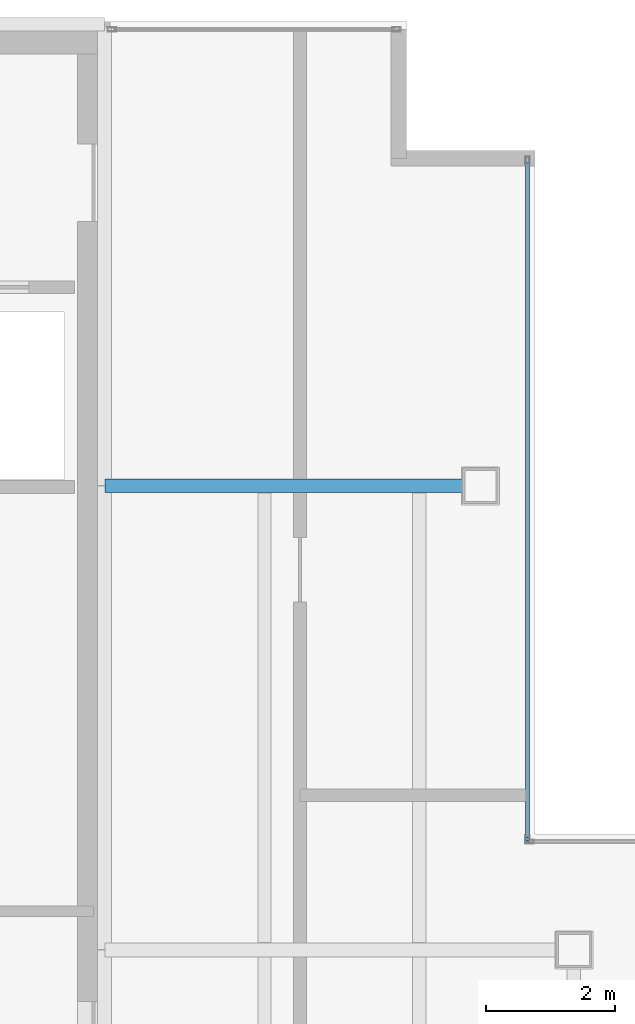
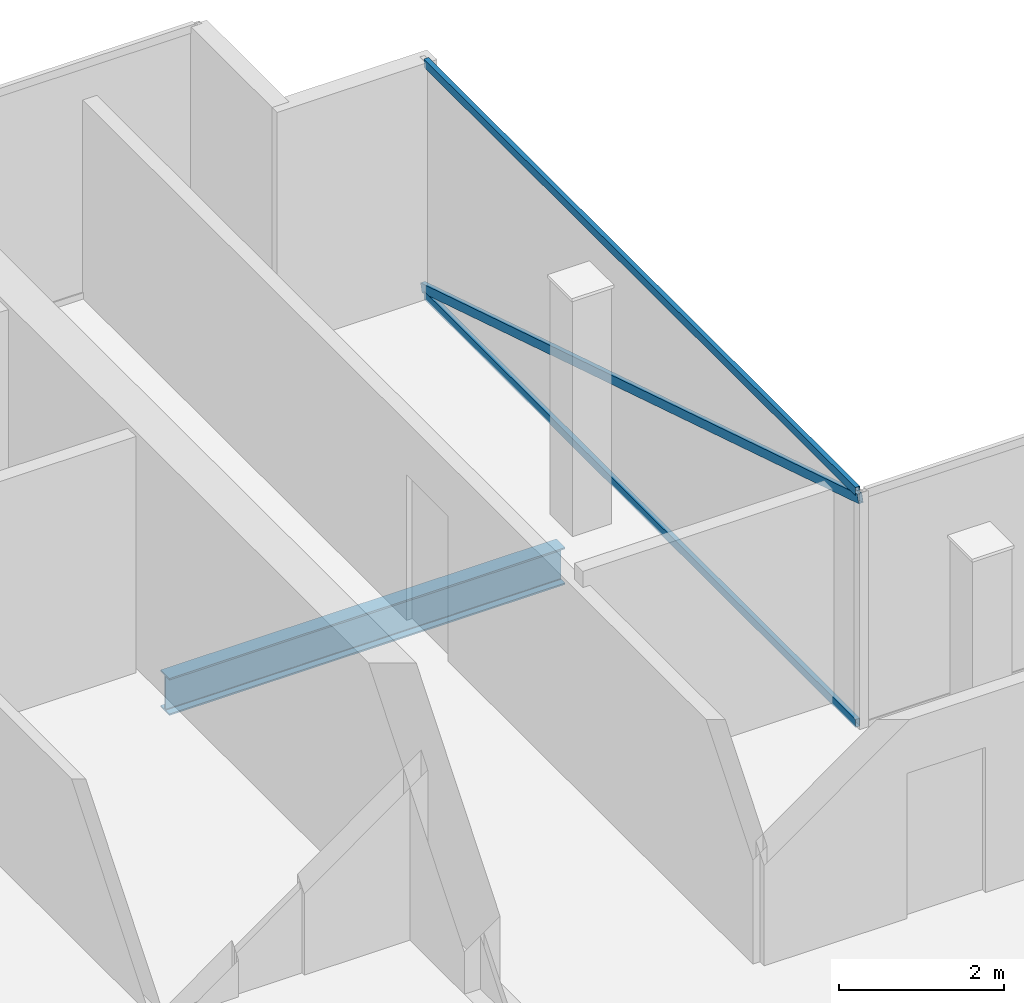
# One storey, part 10 of 15: 3 members, 1 beam, 1 element without a shape of its own.
"""IFC4 building model written with IfcOpenShell, lengths in metres."""

from ifc_helpers import new_model, si_unit, direction, frame, origin, origin_2d, place, context, subcontext, project, spatial, hollow_rectangle, i_section, extrude, material, material_profile, profile_set, type_object, element, aggregate, save


model = new_model("IFC4")

# Units and contexts
model_context = context("Model", 3, precision=1e-05, world=origin(), true_north=direction((0.0, 1.0)))
body_context = subcontext(model_context, "Body", "Model", "MODEL_VIEW")
ifc_project = project(units=[si_unit("LENGTHUNIT", "METRE"), si_unit("AREAUNIT", "SQUARE_METRE"), si_unit("VOLUMEUNIT", "CUBIC_METRE"), si_unit("PLANEANGLEUNIT", "RADIAN"), si_unit("MASSUNIT", "GRAM", prefix="KILO")], contexts=[model_context])

# Site, building, storey
site_placement = place(None, origin())
site = spatial("IfcSite", under=ifc_project, at=site_placement, CompositionType="ELEMENT")
building_placement = place(site_placement, origin())
building = spatial("IfcBuilding", under=site, at=building_placement, Name="Cobrela Telecom Tower", CompositionType="ELEMENT")
storey_placement = place(building_placement, frame((0.0, 0.0, 301.35009765625)))
storey = spatial("IfcBuildingStorey", under=building, at=storey_placement, Name="L79", CompositionType="ELEMENT", Elevation=301.35009765625)

# Beam
ifc_material_1 = material(Name="Steel ASTM A992 Grade 50", Category="steel")
ifc_material_profile_1 = material_profile(ifc_material_1, i_section(OverallWidth=0.212890625, OverallDepth=0.549072265625, WebThickness=0.0146484375, FlangeThickness=0.023681640625, FilletRadius=0.013916015625, at=origin_2d()), Name="W21X93")
ifc_profile_set_1 = profile_set([ifc_material_profile_1], Name="Steel ASTM A992 Grade 50")
beam_type = type_object("IfcBeamType", Name="BM-GIRD-08", PredefinedType="USERDEFINED", material=ifc_profile_set_1)
beam_placement = place(storey_placement, frame((14.324951171875, 28.800048828125, -0.53466796875), z_axis=(1.0, 0.0, 0.0), x_axis=(0.0, 1.0, 0.0)))
element("IfcBeam", 1, at=beam_placement, inside=storey, type_object=beam_type, Name="L79 Primary Girder X06", ObjectType="GIRDER", PredefinedType="USERDEFINED", context=body_context, shape_type="SweptSolid", body=[
    extrude(i_section(OverallWidth=0.212890625, OverallDepth=0.549072265625, WebThickness=0.0146484375, FlangeThickness=0.023681640625, FilletRadius=0.013916015625, at=origin_2d()), origin(), (0.0, 0.0, 1.0), 5.545166015625),
])

# Curtain wall, members
ifc_material_2 = material(Name="Anodized Bronze Aluminium 6063-T6", Category="aluminium")
curtain_wall_type = type_object("IfcCurtainWallType", Name="CW-SYS-DRUM", PredefinedType="USERDEFINED", material=ifc_material_2)
curtain_wall_placement = place(storey_placement, origin())
curtain_wall = element("IfcCurtainWall", 2, at=curtain_wall_placement, inside=storey, type_object=curtain_wall_type, Name="L79 Unitised Bronze Curtain Wall 04", ObjectType="UNITISED CURTAIN WALL", PredefinedType="USERDEFINED")
ifc_material_profile_2 = material_profile(ifc_material_2, hollow_rectangle(XDim=0.06494140625, YDim=0.1298828125, WallThickness=0.00390625, at=origin_2d()), Name="ALU 65x130x4")
ifc_profile_set_2 = profile_set([ifc_material_profile_2], Name="Anodized Bronze Aluminium 6063-T6")
member_type_1 = type_object("IfcMemberType", Name="CW-SYS-DRUM-MUL", PredefinedType="MULLION", material=ifc_profile_set_2)
member_1_placement = place(storey_placement, frame((20.8798828125, 33.8798828125, 0.099853515625), z_axis=(0.0, -0.954797565944, 0.297256804912), x_axis=(1.0, 0.0, 0.0)))
member_1 = element("IfcMember", 3, at=member_1_placement, type_object=member_type_1, Name="L79 Faceted Curtain Wall Diagonal Glazing Mullion", PredefinedType="MULLION", context=body_context, shape_type="SweptSolid", body=[
    extrude(hollow_rectangle(XDim=0.06494140625, YDim=0.1298828125, WallThickness=0.00390625, at=origin_2d()), origin(), (0.0, 0.0, 1.0), 11.1015625),
])
ifc_material_profile_3 = material_profile(ifc_material_2, hollow_rectangle(XDim=0.06494140625, YDim=0.1201171875, WallThickness=0.00390625, at=origin_2d()), Name="ALU 65x120x4")
ifc_profile_set_3 = profile_set([ifc_material_profile_3], Name="Anodized Bronze Aluminium 6063-T6")
member_type_2 = type_object("IfcMemberType", Name="CW-SYS-DRUM-TRN", PredefinedType="USERDEFINED", material=ifc_profile_set_3)
member_2_placement = place(storey_placement, frame((20.8798828125, 33.81494140625, 0.032470703125), z_axis=(0.0, -1.0, 0.0), x_axis=(1.0, 0.0, 0.0)))
member_2 = element("IfcMember", 4, at=member_2_placement, type_object=member_type_2, Name="CW-DRUM transom 1.1", ObjectType="TRANSOM", PredefinedType="USERDEFINED", context=body_context, shape_type="SweptSolid", body=[
    extrude(hollow_rectangle(XDim=0.06494140625, YDim=0.1201171875, WallThickness=0.00390625, at=origin_2d()), origin(), (0.0, 0.0, 1.0), 10.469970703125),
])
member_3_placement = place(storey_placement, frame((20.8798828125, 33.81494140625, 3.46728515625), z_axis=(0.0, -1.0, 0.0), x_axis=(1.0, 0.0, 0.0)))
member_3 = element("IfcMember", 5, at=member_3_placement, type_object=member_type_2, Name="CW-DRUM transom 1.2", ObjectType="TRANSOM", PredefinedType="USERDEFINED", context=body_context, shape_type="SweptSolid", body=[
    extrude(hollow_rectangle(XDim=0.06494140625, YDim=0.1201171875, WallThickness=0.00390625, at=origin_2d()), origin(), (0.0, 0.0, 1.0), 10.469970703125),
])
aggregate(curtain_wall, [member_2, member_3, member_1])

save(model, "model.ifc")
